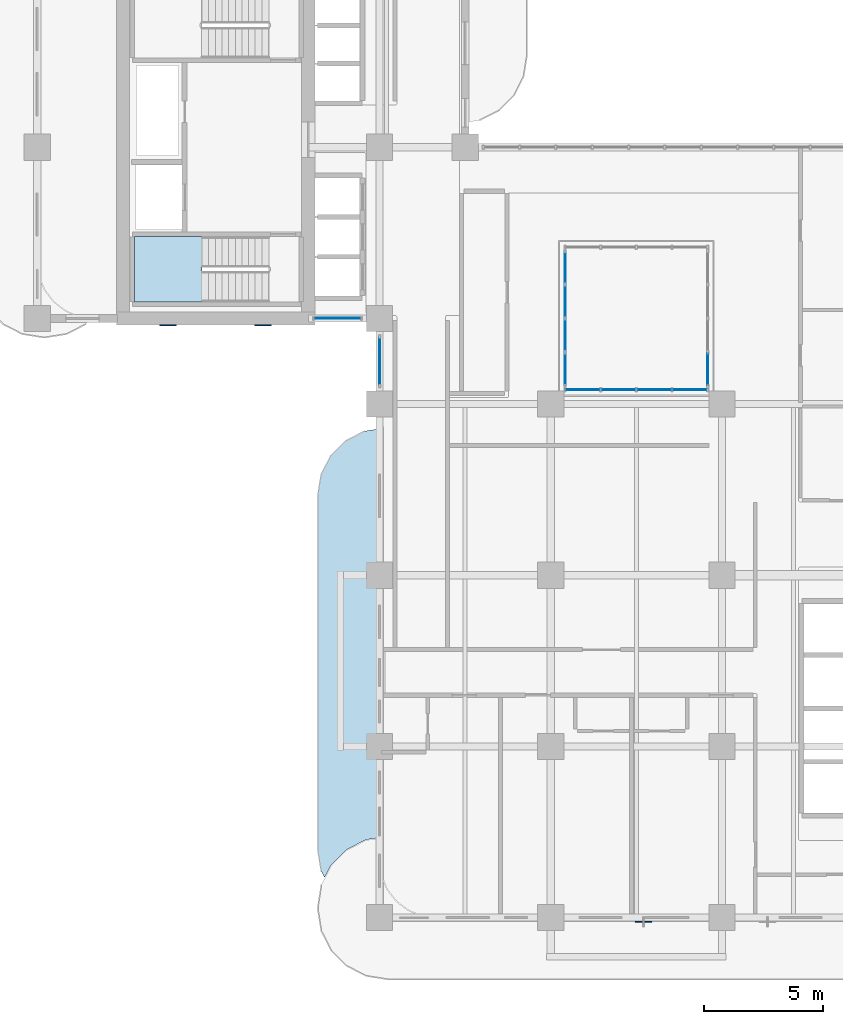
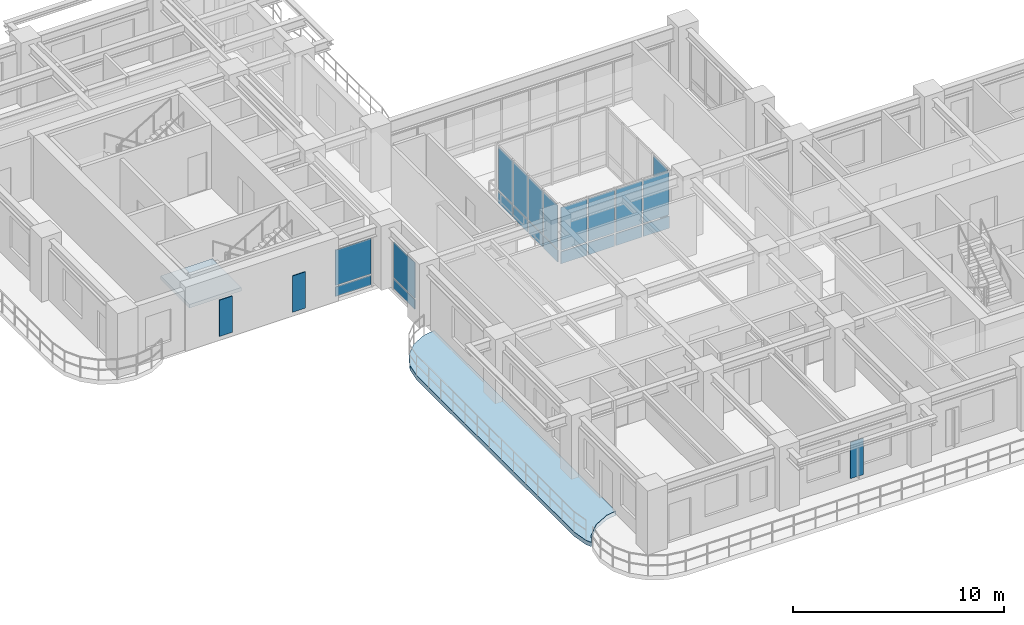
# One storey, part 8 of 22: 25 plates, 2 slabs, 6 elements without a shape of their own.
"""IFC4 building model written with IfcOpenShell, lengths in metres."""

from ifc_helpers import new_model, si_unit, derived_unit, direction, frame, origin, origin_2d, place, context, subcontext, project, spatial, polyline, rectangle, outline, extrude, source, transform, mapped, material, layer, layer_set, type_object, type_shapes, element, aggregate, save


model = new_model("IFC4")

# Units and contexts
model_context = context("Model", 3, precision=1e-05, world=origin(), true_north=direction((0.0, 1.0)))
body_context = subcontext(model_context, "Body", "Model", "MODEL_VIEW")
ifc_project = project(units=[si_unit("LENGTHUNIT", "METRE"), si_unit("AREAUNIT", "SQUARE_METRE"), si_unit("VOLUMEUNIT", "CUBIC_METRE"), si_unit("PLANEANGLEUNIT", "RADIAN"), si_unit("MASSUNIT", "GRAM", prefix="KILO"), si_unit("THERMODYNAMICTEMPERATUREUNIT", "KELVIN"), si_unit("POWERUNIT", "WATT"), derived_unit("THERMALTRANSMITTANCEUNIT", [(si_unit("POWERUNIT", "WATT"), 1), (si_unit("AREAUNIT", "SQUARE_METRE"), -1), (si_unit("THERMODYNAMICTEMPERATUREUNIT", "KELVIN"), -1)])], contexts=[model_context])

# Site, building, storey
site_placement = place(None, origin())
site = spatial("IfcSite", under=ifc_project, at=site_placement, CompositionType="ELEMENT")
building_placement = place(site_placement, origin())
building = spatial("IfcBuilding", under=site, at=building_placement, Name="Zahravan Archway Hotel and Residences", CompositionType="ELEMENT")
storey_placement = place(building_placement, frame((0.0, 0.0, 76.800048828125)))
storey = spatial("IfcBuildingStorey", under=building, at=storey_placement, Name="L18", CompositionType="ELEMENT", Elevation=76.800048828125)

# Slab
ifc_material_1 = material(Name="Concrete C45/55", Category="concrete")
ifc_layer_1 = layer(ifc_material_1, 0.25, Name="Concrete C45/55", Category="concrete")
ifc_layer_set_1 = layer_set([ifc_layer_1], Name="Concrete C45/55")
slab_type_1 = type_object("IfcSlabType", Name="SLB-BALC-250", PredefinedType="FLOOR", material=ifc_layer_set_1)
slab_1_placement = place(storey_placement, frame((0.0, 0.0, -0.25)))
element("IfcSlab", 1, at=slab_1_placement, inside=storey, type_object=slab_type_1, Name="L18 Wing A West Rounded Balcony Band", PredefinedType="FLOOR", context=body_context, shape_type="SweptSolid", body=[
    extrude(outline(polyline([(11.939453125, 1.96923828125), (11.800048828125, 2.85009765625), (11.800048828125, 17.75), (11.939453125, 18.630615234375), (12.34423828125, 19.42529296875), (12.974853515625, 20.0556640625), (13.769287109375, 20.46044921875), (14.3798828125, 20.55712890625), (14.3798828125, 3.361328125), (14.37890625, 3.361328125), (14.376953125, 3.361083984375), (13.835205078125, 3.275390625), (13.833251953125, 3.27490234375), (13.831298828125, 3.2744140625), (13.829345703125, 3.2734375), (13.0068359375, 2.8544921875), (13.005126953125, 2.853515625), (13.00341796875, 2.85205078125), (13.001953125, 2.8505859375), (12.349365234375, 2.197998046875), (12.347900390625, 2.196533203125), (12.3466796875, 2.19482421875), (12.345703125, 2.193115234375), (12.08544921875, 1.6826171875), (11.939453125, 1.96923828125)])), origin(), (0.0, 0.0, 1.0), 0.25),
])

# Stair, slab
ifc_material_2 = material(Name="Concrete C50/60", Category="concrete")
stair_type = type_object("IfcStairType", Name="STR-CORE-1300", PredefinedType="HALF_TURN_STAIR", material=ifc_material_2)
stair_placement = place(storey_placement, origin())
stair = element("IfcStair", 2, at=stair_placement, inside=storey, type_object=stair_type, Name="L18 Core B Exit Stair 1", PredefinedType="HALF_TURN_STAIR")
ifc_layer_2 = layer(ifc_material_2, 0.199951171875, Name="Concrete C50/60", Category="concrete")
ifc_layer_set_2 = layer_set([ifc_layer_2], Name="Concrete C50/60")
slab_type_2 = type_object("IfcSlabType", Name="SLB-LND-200", PredefinedType="LANDING", material=ifc_layer_set_2)
slab_2_placement = place(storey_placement, frame((0.0, 0.0, 1.64990234375)))
slab_2 = element("IfcSlab", 3, at=slab_2_placement, type_object=slab_type_2, Name="ST-B1 landing 1", PredefinedType="LANDING", context=body_context, shape_type="SweptSolid", body=[
    extrude(outline(polyline([(6.929931640625, 28.639892578125), (4.10009765625, 28.639892578125), (4.10009765625, 25.89990234375), (6.929931640625, 25.89990234375), (6.929931640625, 28.639892578125)])), origin(), (0.0, 0.0, 1.0), 0.199951171875),
])
aggregate(stair, [slab_2])

# Plates
ifc_material_3 = material(Name="Perforated Cast Bronze Jali Lattice")
ifc_layer_3 = layer(ifc_material_3, 0.044921875, Name="Perforated Cast Bronze Jali Lattice")
ifc_layer_set_3 = layer_set([ifc_layer_3], Name="Perforated Cast Bronze Jali Lattice")
plate_type_1 = type_object("IfcPlateType", Name="PLT-JALI-BAY", PredefinedType="USERDEFINED", material=ifc_layer_set_3)
shared_shape_1 = source(origin(), body_context, "Body", "SweptSolid", [
    extrude(rectangle(XDim=0.699951171875, YDim=0.044921875, at=origin_2d()), origin(), (0.0, 0.0, 1.0), 2.10009765625),
])
type_shapes(plate_type_1, [shared_shape_1])
for number, where, z_axis, x_axis, name in (
    (4, (5.5, 24.906982421875, 0.25), (0.0, 0.0, 1.0), (1.0, 0.0, 0.0), "L18 Core B South Mughal Jali Screen 1"),
    (5, (9.5, 24.906982421875, 0.25), (0.0, 0.0, 1.0), (1.0, 0.0, 0.0), "L18 Core B South Mughal Jali Screen 2"),
    (6, (25.493896484375, -0.177978515625, 0.25), (0.0, 0.0, 1.0), (1.0, 0.0, 0.0), "L18 Perforated Bronze Jali Pier Screen 01"),
):
    element("IfcPlate", number, at=place(storey_placement, frame(where, z_axis=z_axis, x_axis=x_axis)), inside=storey, type_object=plate_type_1, Name=name, ObjectType="SCREEN", PredefinedType="USERDEFINED", context=body_context, shape_type="MappedRepresentation", body=[
        mapped(shared_shape_1, transform((0.0, 0.0, 0.0), scale=1.0)),
    ])

# Curtain wall, plates
ifc_material_4 = material(Name="Bronze-Anodized Unitised Aluminium & Low-E Glass", Category="aluminium")
ifc_layer_4 = layer(ifc_material_4, 0.179931640625, Name="Bronze-Anodized Unitised Aluminium & Low-E Glass", Category="aluminium")
ifc_layer_set_4 = layer_set([ifc_layer_4], Name="Bronze-Anodized Unitised Aluminium & Low-E Glass")
curtain_wall_type = type_object("IfcCurtainWallType", Name="CW-ATR-GLAZ", PredefinedType="NOTDEFINED", material=ifc_layer_set_4)
curtain_wall_1_placement = place(storey_placement, origin())
curtain_wall_1 = element("IfcCurtainWall", 7, at=curtain_wall_1_placement, inside=storey, type_object=curtain_wall_type, Name="L18 Curtain Wall CW-L18-WB-SE-1", PredefinedType="NOTDEFINED")
ifc_material_5 = material(Name="Insulated Terracotta Spandrel Panel", Category="masonry")
ifc_layer_5 = layer(ifc_material_5, 0.0400390625, Name="Insulated Terracotta Spandrel Panel", Category="masonry")
ifc_layer_set_5 = layer_set([ifc_layer_5], Name="Insulated Terracotta Spandrel Panel")
plate_type_2 = type_object("IfcPlateType", Name="CWP-SPN-40", PredefinedType="SHEET", material=ifc_layer_set_5)
shared_shape_2 = source(origin(), body_context, "Body", "SweptSolid", [
    extrude(rectangle(XDim=1.93994140625, YDim=0.0400390625, at=origin_2d()), origin(), (0.0, 0.0, 1.0), 0.552490234375),
])
plate_1_placement = place(storey_placement, frame((12.6298828125, 25.199951171875, 0.10009765625), z_axis=(0.0, 0.0, 1.0), x_axis=(1.0, 0.0, 0.0)))
plate_1 = element("IfcPlate", 8, at=plate_1_placement, type_object=plate_type_2, Name="CW-L18-WB-SE-1 Spandrel Panel 0", PredefinedType="SHEET", context=body_context, shape_type="MappedRepresentation", body=[
    mapped(shared_shape_2, transform((0.0, 0.0, 0.0), scale=1.0)),
])
ifc_material_6 = material(Name="Double-Silver Low-E Insulated Vision Glass", Category="glass")
ifc_layer_6 = layer(ifc_material_6, 0.028076171875, Name="Double-Silver Low-E Insulated Vision Glass", Category="glass")
ifc_layer_set_6 = layer_set([ifc_layer_6], Name="Double-Silver Low-E Insulated Vision Glass")
plate_type_3 = type_object("IfcPlateType", Name="CWP-GLZ-28", PredefinedType="CURTAIN_PANEL", material=ifc_layer_set_6)
shared_shape_3 = source(origin(), body_context, "Body", "SweptSolid", [
    extrude(rectangle(XDim=1.93994140625, YDim=0.028076171875, at=origin_2d()), origin(), (0.0, 0.0, 1.0), 2.052490234375),
])
plate_2_placement = place(storey_placement, frame((12.6298828125, 25.199951171875, 0.732421875), z_axis=(0.0, 0.0, 1.0), x_axis=(1.0, 0.0, 0.0)))
plate_2 = element("IfcPlate", 9, at=plate_2_placement, type_object=plate_type_3, Name="CW-L18-WB-SE-1 Low-E Vision Panel 0", PredefinedType="CURTAIN_PANEL", context=body_context, shape_type="MappedRepresentation", body=[
    mapped(shared_shape_3, transform((0.0, 0.0, 0.0), scale=1.0)),
])
aggregate(curtain_wall_1, [plate_1, plate_2])

curtain_wall_2_placement = place(storey_placement, origin())
curtain_wall_2 = element("IfcCurtainWall", 10, at=curtain_wall_2_placement, inside=storey, type_object=curtain_wall_type, Name="L18 Curtain Wall CW-L18-WA-WLU-1", PredefinedType="NOTDEFINED")
shared_shape_4 = source(origin(), body_context, "Body", "SweptSolid", [
    extrude(rectangle(XDim=2.0, YDim=0.0400390625, at=origin_2d()), origin(), (0.0, 0.0, 1.0), 0.552490234375),
])
plate_3_placement = place(storey_placement, frame((14.39990234375, 23.39990234375, 0.10009765625), z_axis=(0.0, 0.0, 1.0), x_axis=(0.0, 1.0, 0.0)))
plate_3 = element("IfcPlate", 11, at=plate_3_placement, type_object=plate_type_2, Name="CW-L18-WA-WLU-1 Spandrel Panel 0", PredefinedType="SHEET", context=body_context, shape_type="MappedRepresentation", body=[
    mapped(shared_shape_4, transform((0.0, 0.0, 0.0), scale=1.0)),
])
shared_shape_5 = source(origin(), body_context, "Body", "SweptSolid", [
    extrude(rectangle(XDim=2.0, YDim=0.028076171875, at=origin_2d()), origin(), (0.0, 0.0, 1.0), 2.052490234375),
])
plate_4_placement = place(storey_placement, frame((14.39990234375, 23.39990234375, 0.732421875), z_axis=(0.0, 0.0, 1.0), x_axis=(0.0, 1.0, 0.0)))
plate_4 = element("IfcPlate", 12, at=plate_4_placement, type_object=plate_type_3, Name="CW-L18-WA-WLU-1 Low-E Vision Panel 0", PredefinedType="CURTAIN_PANEL", context=body_context, shape_type="MappedRepresentation", body=[
    mapped(shared_shape_5, transform((0.0, 0.0, 0.0), scale=1.0)),
])
aggregate(curtain_wall_2, [plate_3, plate_4])

curtain_wall_3_placement = place(storey_placement, origin())
curtain_wall_3 = element("IfcCurtainWall", 13, at=curtain_wall_3_placement, inside=storey, type_object=curtain_wall_type, Name="L18 Curtain Wall CW-ATR-L18-S-1", PredefinedType="NOTDEFINED")
shared_shape_6 = source(origin(), body_context, "Body", "SweptSolid", [
    extrude(rectangle(XDim=1.419921875, YDim=0.0400390625, at=origin_2d()), origin(), (0.0, 0.0, 1.0), 0.68798828125),
])
plate_5_placement = place(storey_placement, frame((22.949951171875, 22.199951171875, 0.099853515625), z_axis=(0.0, 0.0, 1.0), x_axis=(1.0, 0.0, 0.0)))
plate_5 = element("IfcPlate", 14, at=plate_5_placement, type_object=plate_type_2, Name="CW-ATR-L18-S-1 Spandrel Panel 0", PredefinedType="SHEET", context=body_context, shape_type="MappedRepresentation", body=[
    mapped(shared_shape_6, transform((0.0, 0.0, 0.0), scale=1.0)),
])
plate_6_placement = place(storey_placement, frame((24.449951171875, 22.199951171875, 0.099853515625), z_axis=(0.0, 0.0, 1.0), x_axis=(1.0, 0.0, 0.0)))
plate_6 = element("IfcPlate", 15, at=plate_6_placement, type_object=plate_type_2, Name="CW-ATR-L18-S-1 Spandrel Panel 1", PredefinedType="SHEET", context=body_context, shape_type="MappedRepresentation", body=[
    mapped(shared_shape_6, transform((0.0, 0.0, 0.0), scale=1.0)),
])
plate_7_placement = place(storey_placement, frame((25.949951171875, 22.199951171875, 0.099853515625), z_axis=(0.0, 0.0, 1.0), x_axis=(1.0, 0.0, 0.0)))
plate_7 = element("IfcPlate", 16, at=plate_7_placement, type_object=plate_type_2, Name="CW-ATR-L18-S-1 Spandrel Panel 2", PredefinedType="SHEET", context=body_context, shape_type="MappedRepresentation", body=[
    mapped(shared_shape_6, transform((0.0, 0.0, 0.0), scale=1.0)),
])
plate_8_placement = place(storey_placement, frame((27.449951171875, 22.199951171875, 0.099853515625), z_axis=(0.0, 0.0, 1.0), x_axis=(1.0, 0.0, 0.0)))
plate_8 = element("IfcPlate", 17, at=plate_8_placement, type_object=plate_type_2, Name="CW-ATR-L18-S-1 Spandrel Panel 3", PredefinedType="SHEET", context=body_context, shape_type="MappedRepresentation", body=[
    mapped(shared_shape_6, transform((0.0, 0.0, 0.0), scale=1.0)),
])
shared_shape_7 = source(origin(), body_context, "Body", "SweptSolid", [
    extrude(rectangle(XDim=1.419921875, YDim=0.028076171875, at=origin_2d()), origin(), (0.0, 0.0, 1.0), 2.48193359375),
])
plate_9_placement = place(storey_placement, frame((22.949951171875, 22.199951171875, 0.867919921875), z_axis=(0.0, 0.0, 1.0), x_axis=(1.0, 0.0, 0.0)))
plate_9 = element("IfcPlate", 18, at=plate_9_placement, type_object=plate_type_3, Name="CW-ATR-L18-S-1 Low-E Vision Panel 0", PredefinedType="CURTAIN_PANEL", context=body_context, shape_type="MappedRepresentation", body=[
    mapped(shared_shape_7, transform((0.0, 0.0, 0.0), scale=1.0)),
])
plate_10_placement = place(storey_placement, frame((24.449951171875, 22.199951171875, 0.867919921875), z_axis=(0.0, 0.0, 1.0), x_axis=(1.0, 0.0, 0.0)))
plate_10 = element("IfcPlate", 19, at=plate_10_placement, type_object=plate_type_3, Name="CW-ATR-L18-S-1 Low-E Vision Panel 1", PredefinedType="CURTAIN_PANEL", context=body_context, shape_type="MappedRepresentation", body=[
    mapped(shared_shape_7, transform((0.0, 0.0, 0.0), scale=1.0)),
])
plate_11_placement = place(storey_placement, frame((25.949951171875, 22.199951171875, 0.867919921875), z_axis=(0.0, 0.0, 1.0), x_axis=(1.0, 0.0, 0.0)))
plate_11 = element("IfcPlate", 20, at=plate_11_placement, type_object=plate_type_3, Name="CW-ATR-L18-S-1 Low-E Vision Panel 2", PredefinedType="CURTAIN_PANEL", context=body_context, shape_type="MappedRepresentation", body=[
    mapped(shared_shape_7, transform((0.0, 0.0, 0.0), scale=1.0)),
])
plate_12_placement = place(storey_placement, frame((27.449951171875, 22.199951171875, 0.867919921875), z_axis=(0.0, 0.0, 1.0), x_axis=(1.0, 0.0, 0.0)))
plate_12 = element("IfcPlate", 21, at=plate_12_placement, type_object=plate_type_3, Name="CW-ATR-L18-S-1 Low-E Vision Panel 3", PredefinedType="CURTAIN_PANEL", context=body_context, shape_type="MappedRepresentation", body=[
    mapped(shared_shape_7, transform((0.0, 0.0, 0.0), scale=1.0)),
])
aggregate(curtain_wall_3, [plate_5, plate_9, plate_6, plate_10, plate_7, plate_11, plate_8, plate_12])

curtain_wall_4_placement = place(storey_placement, origin())
curtain_wall_4 = element("IfcCurtainWall", 22, at=curtain_wall_4_placement, inside=storey, type_object=curtain_wall_type, Name="L18 Curtain Wall CW-ATR-L18-W-1", PredefinedType="NOTDEFINED")
shared_shape_8 = source(origin(), body_context, "Body", "SweptSolid", [
    extrude(rectangle(XDim=1.344970703125, YDim=0.0400390625, at=origin_2d()), origin(), (0.0, 0.0, 1.0), 0.68798828125),
])
plate_13_placement = place(storey_placement, frame((22.199951171875, 23.0625, 0.099853515625), z_axis=(0.0, 0.0, 1.0), x_axis=(0.0, 1.0, 0.0)))
plate_13 = element("IfcPlate", 23, at=plate_13_placement, type_object=plate_type_2, Name="CW-ATR-L18-W-1 Spandrel Panel 0", PredefinedType="SHEET", context=body_context, shape_type="MappedRepresentation", body=[
    mapped(shared_shape_8, transform((0.0, 0.0, 0.0), scale=1.0)),
])
plate_14_placement = place(storey_placement, frame((22.199951171875, 24.487548828125, 0.099853515625), z_axis=(0.0, 0.0, 1.0), x_axis=(0.0, 1.0, 0.0)))
plate_14 = element("IfcPlate", 24, at=plate_14_placement, type_object=plate_type_2, Name="CW-ATR-L18-W-1 Spandrel Panel 1", PredefinedType="SHEET", context=body_context, shape_type="MappedRepresentation", body=[
    mapped(shared_shape_8, transform((0.0, 0.0, 0.0), scale=1.0)),
])
plate_15_placement = place(storey_placement, frame((22.199951171875, 25.91259765625, 0.099853515625), z_axis=(0.0, 0.0, 1.0), x_axis=(0.0, 1.0, 0.0)))
plate_15 = element("IfcPlate", 25, at=plate_15_placement, type_object=plate_type_2, Name="CW-ATR-L18-W-1 Spandrel Panel 2", PredefinedType="SHEET", context=body_context, shape_type="MappedRepresentation", body=[
    mapped(shared_shape_8, transform((0.0, 0.0, 0.0), scale=1.0)),
])
plate_16_placement = place(storey_placement, frame((22.199951171875, 27.33740234375, 0.099853515625), z_axis=(0.0, 0.0, 1.0), x_axis=(0.0, 1.0, 0.0)))
plate_16 = element("IfcPlate", 26, at=plate_16_placement, type_object=plate_type_2, Name="CW-ATR-L18-W-1 Spandrel Panel 3", PredefinedType="SHEET", context=body_context, shape_type="MappedRepresentation", body=[
    mapped(shared_shape_8, transform((0.0, 0.0, 0.0), scale=1.0)),
])

# Curtain wall, plate
curtain_wall_5_placement = place(storey_placement, origin())
curtain_wall_5 = element("IfcCurtainWall", 27, at=curtain_wall_5_placement, inside=storey, type_object=curtain_wall_type, Name="L18 Curtain Wall CW-ATR-L18-E-1", PredefinedType="NOTDEFINED")
plate_17_placement = place(storey_placement, frame((28.199951171875, 23.0625, 0.099853515625), z_axis=(0.0, 0.0, 1.0), x_axis=(0.0, 1.0, 0.0)))
plate_17 = element("IfcPlate", 28, at=plate_17_placement, type_object=plate_type_2, Name="CW-ATR-L18-E-1 Spandrel Panel 0", PredefinedType="SHEET", context=body_context, shape_type="MappedRepresentation", body=[
    mapped(shared_shape_8, transform((0.0, 0.0, 0.0), scale=1.0)),
])

# Plate
shared_shape_9 = source(origin(), body_context, "Body", "SweptSolid", [
    extrude(rectangle(XDim=1.344970703125, YDim=0.028076171875, at=origin_2d()), origin(), (0.0, 0.0, 1.0), 2.48193359375),
])
plate_18_placement = place(storey_placement, frame((22.199951171875, 23.0625, 0.867919921875), z_axis=(0.0, 0.0, 1.0), x_axis=(0.0, 1.0, 0.0)))
plate_18 = element("IfcPlate", 29, at=plate_18_placement, type_object=plate_type_3, Name="CW-ATR-L18-W-1 Low-E Vision Panel 0", PredefinedType="CURTAIN_PANEL", context=body_context, shape_type="MappedRepresentation", body=[
    mapped(shared_shape_9, transform((0.0, 0.0, 0.0), scale=1.0)),
])

plate_19_placement = place(storey_placement, frame((22.199951171875, 24.487548828125, 0.867919921875), z_axis=(0.0, 0.0, 1.0), x_axis=(0.0, 1.0, 0.0)))
plate_19 = element("IfcPlate", 30, at=plate_19_placement, type_object=plate_type_3, Name="CW-ATR-L18-W-1 Low-E Vision Panel 1", PredefinedType="CURTAIN_PANEL", context=body_context, shape_type="MappedRepresentation", body=[
    mapped(shared_shape_9, transform((0.0, 0.0, 0.0), scale=1.0)),
])

plate_20_placement = place(storey_placement, frame((22.199951171875, 25.91259765625, 0.867919921875), z_axis=(0.0, 0.0, 1.0), x_axis=(0.0, 1.0, 0.0)))
plate_20 = element("IfcPlate", 31, at=plate_20_placement, type_object=plate_type_3, Name="CW-ATR-L18-W-1 Low-E Vision Panel 2", PredefinedType="CURTAIN_PANEL", context=body_context, shape_type="MappedRepresentation", body=[
    mapped(shared_shape_9, transform((0.0, 0.0, 0.0), scale=1.0)),
])

plate_21_placement = place(storey_placement, frame((22.199951171875, 27.33740234375, 0.867919921875), z_axis=(0.0, 0.0, 1.0), x_axis=(0.0, 1.0, 0.0)))
plate_21 = element("IfcPlate", 32, at=plate_21_placement, type_object=plate_type_3, Name="CW-ATR-L18-W-1 Low-E Vision Panel 3", PredefinedType="CURTAIN_PANEL", context=body_context, shape_type="MappedRepresentation", body=[
    mapped(shared_shape_9, transform((0.0, 0.0, 0.0), scale=1.0)),
])

aggregate(curtain_wall_4, [plate_13, plate_18, plate_14, plate_19, plate_15, plate_20, plate_16, plate_21])

plate_22_placement = place(storey_placement, frame((28.199951171875, 23.0625, 0.867919921875), z_axis=(0.0, 0.0, 1.0), x_axis=(0.0, 1.0, 0.0)))
plate_22 = element("IfcPlate", 33, at=plate_22_placement, type_object=plate_type_3, Name="CW-ATR-L18-E-1 Low-E Vision Panel 0", PredefinedType="CURTAIN_PANEL", context=body_context, shape_type="MappedRepresentation", body=[
    mapped(shared_shape_9, transform((0.0, 0.0, 0.0), scale=1.0)),
])

aggregate(curtain_wall_5, [plate_17, plate_22])

save(model, "model.ifc")
